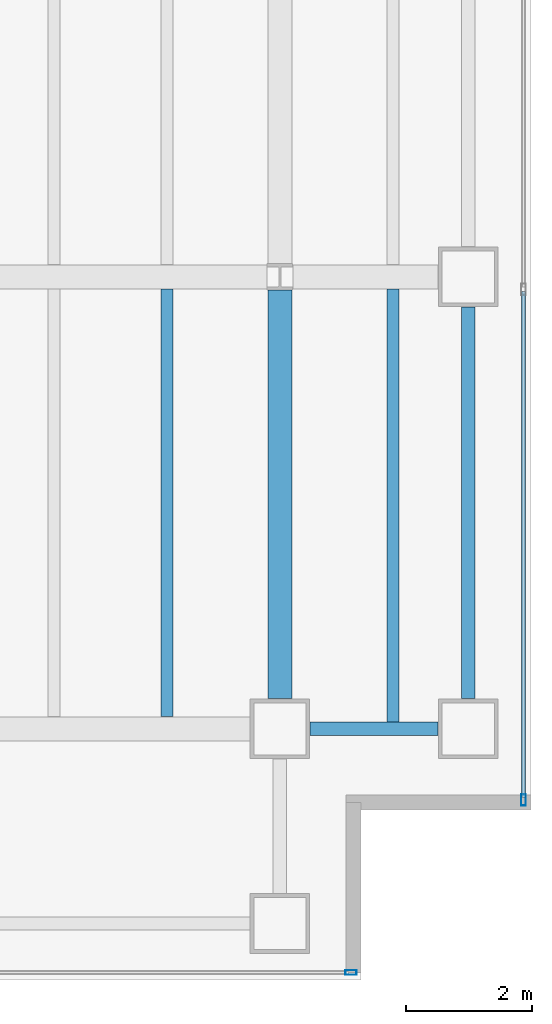
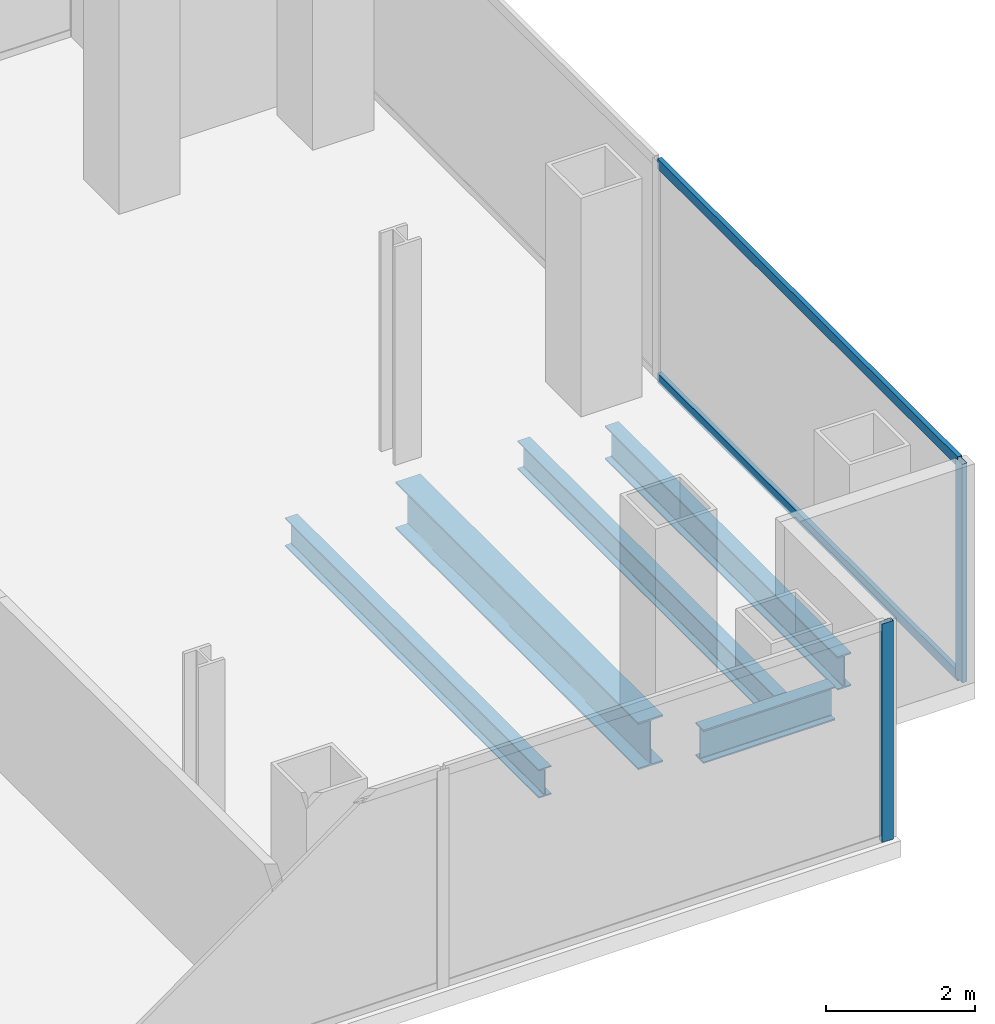
# One storey, part 11 of 23: 5 beams, 4 members, 2 elements without a shape of their own.
"""IFC4 building model written with IfcOpenShell, lengths in metres."""

from ifc_helpers import new_model, si_unit, direction, frame, origin, origin_2d, place, context, subcontext, project, spatial, hollow_rectangle, i_section, extrude, material, material_profile, profile_set, type_object, element, aggregate, save


model = new_model("IFC4")

# Units and contexts
model_context = context("Model", 3, precision=1e-05, world=origin(), true_north=direction((0.0, 1.0)))
body_context = subcontext(model_context, "Body", "Model", "MODEL_VIEW")
ifc_project = project(units=[si_unit("LENGTHUNIT", "METRE"), si_unit("AREAUNIT", "SQUARE_METRE"), si_unit("VOLUMEUNIT", "CUBIC_METRE"), si_unit("PLANEANGLEUNIT", "RADIAN"), si_unit("MASSUNIT", "GRAM", prefix="KILO")], contexts=[model_context])

# Site, building, storey
site_placement = place(None, origin())
site = spatial("IfcSite", under=ifc_project, at=site_placement, CompositionType="ELEMENT")
building_placement = place(site_placement, origin())
building = spatial("IfcBuilding", under=site, at=building_placement, Name="Cobrela Telecom Tower", CompositionType="ELEMENT")
storey_placement = place(building_placement, frame((0.0, 0.0, 109.89990234375)))
storey = spatial("IfcBuildingStorey", under=building, at=storey_placement, Name="L27", CompositionType="ELEMENT", Elevation=109.89990234375)

# Beams
ifc_material_1 = material(Name="Steel ASTM A992 Grade 50", Category="steel")
ifc_material_profile_1 = material_profile(ifc_material_1, i_section(OverallWidth=0.381103515625, OverallDepth=0.77197265625, WebThickness=0.0166015625, FlangeThickness=0.027099609375, FilletRadius=0.01904296875, at=origin_2d()), Name="W30X173")
ifc_profile_set_1 = profile_set([ifc_material_profile_1], Name="Steel ASTM A992 Grade 50")
beam_type_1 = type_object("IfcBeamType", Name="BM-GIRD-04", PredefinedType="USERDEFINED", material=ifc_profile_set_1)
beam_1_placement = place(storey_placement, frame((43.199951171875, 7.679931640625, -0.656005859375), z_axis=(0.0, 1.0, 0.0), x_axis=(-1.0, 0.0, 0.0)))
element("IfcBeam", 1, at=beam_1_placement, inside=storey, type_object=beam_type_1, Name="L27 Primary Girder Y53", ObjectType="GIRDER", PredefinedType="USERDEFINED", context=body_context, shape_type="SweptSolid", body=[
    extrude(i_section(OverallWidth=0.381103515625, OverallDepth=0.77197265625, WebThickness=0.0166015625, FlangeThickness=0.027099609375, FilletRadius=0.01904296875, at=origin_2d()), origin(), (0.0, 0.0, 1.0), 6.510498046875),
])
ifc_material_profile_2 = material_profile(ifc_material_1, i_section(OverallWidth=0.193115234375, OverallDepth=0.467041015625, WebThickness=0.011474609375, FlangeThickness=0.01904296875, FilletRadius=0.012939453125, at=origin_2d()), Name="W18X65")
ifc_profile_set_2 = profile_set([ifc_material_profile_2], Name="Steel ASTM A992 Grade 50")
beam_type_2 = type_object("IfcBeamType", Name="BM-JOIST-03", PredefinedType="JOIST", material=ifc_profile_set_2)
beam_2_placement = place(storey_placement, frame((41.39990234375, 7.3955078125, -0.50341796875), z_axis=(0.0, 1.0, 0.0), x_axis=(-1.0, 0.0, 0.0)))
element("IfcBeam", 2, at=beam_2_placement, inside=storey, type_object=beam_type_2, Name="L27 Secondary Composite Floor Beam J37", PredefinedType="JOIST", context=body_context, shape_type="SweptSolid", body=[
    extrude(i_section(OverallWidth=0.193115234375, OverallDepth=0.467041015625, WebThickness=0.011474609375, FlangeThickness=0.01904296875, FilletRadius=0.012939453125, at=origin_2d()), origin(), (0.0, 0.0, 1.0), 6.80908203125),
])
beam_3_placement = place(storey_placement, frame((45.0, 7.3115234375, -0.50341796875), z_axis=(0.0, 1.0, 0.0), x_axis=(-1.0, 0.0, 0.0)))
element("IfcBeam", 3, at=beam_3_placement, inside=storey, type_object=beam_type_2, Name="L27 Secondary Composite Floor Beam J39", PredefinedType="JOIST", context=body_context, shape_type="SweptSolid", body=[
    extrude(i_section(OverallWidth=0.193115234375, OverallDepth=0.467041015625, WebThickness=0.011474609375, FlangeThickness=0.01904296875, FilletRadius=0.012939453125, at=origin_2d()), origin(), (0.0, 0.0, 1.0), 6.89306640625),
])
ifc_material_profile_3 = material_profile(ifc_material_1, i_section(OverallWidth=0.212890625, OverallDepth=0.549072265625, WebThickness=0.0146484375, FlangeThickness=0.023681640625, FilletRadius=0.013916015625, at=origin_2d()), Name="W21X93")
ifc_profile_set_3 = profile_set([ifc_material_profile_3], Name="Steel ASTM A992 Grade 50")
beam_type_3 = type_object("IfcBeamType", Name="BM-SPAND-03", PredefinedType="SPANDREL", material=ifc_profile_set_3)
beam_4_placement = place(storey_placement, frame((43.679931640625, 7.199951171875, -0.54443359375), z_axis=(1.0, 0.0, 0.0), x_axis=(0.0, 1.0, 0.0)))
element("IfcBeam", 4, at=beam_4_placement, inside=storey, type_object=beam_type_3, Name="L27 Perimeter Spandrel X12", PredefinedType="SPANDREL", context=body_context, shape_type="SweptSolid", body=[
    extrude(i_section(OverallWidth=0.212890625, OverallDepth=0.549072265625, WebThickness=0.0146484375, FlangeThickness=0.023681640625, FilletRadius=0.013916015625, at=origin_2d()), origin(), (0.0, 0.0, 1.0), 2.0400390625),
])
beam_5_placement = place(storey_placement, frame((46.199951171875, 7.679931640625, -0.54443359375), z_axis=(0.0, 1.0, 0.0), x_axis=(-1.0, 0.0, 0.0)))
element("IfcBeam", 5, at=beam_5_placement, inside=storey, type_object=beam_type_3, Name="L27 Perimeter Spandrel Y55", PredefinedType="SPANDREL", context=body_context, shape_type="SweptSolid", body=[
    extrude(i_section(OverallWidth=0.212890625, OverallDepth=0.549072265625, WebThickness=0.0146484375, FlangeThickness=0.023681640625, FilletRadius=0.013916015625, at=origin_2d()), origin(), (0.0, 0.0, 1.0), 6.239990234375),
])

# Curtain wall, member
ifc_material_2 = material(Name="Anodized Bronze Aluminium 6063-T6", Category="aluminium")
curtain_wall_type = type_object("IfcCurtainWallType", Name="CW-SYS-TEL", PredefinedType="USERDEFINED", material=ifc_material_2)
curtain_wall_1_placement = place(storey_placement, origin())
curtain_wall_1 = element("IfcCurtainWall", 6, at=curtain_wall_1_placement, inside=storey, type_object=curtain_wall_type, Name="L27 Unitised Bronze Curtain Wall 14", ObjectType="UNITISED CURTAIN WALL", PredefinedType="USERDEFINED")
ifc_material_profile_4 = material_profile(ifc_material_2, hollow_rectangle(XDim=0.074951171875, YDim=0.179931640625, WallThickness=0.00390625, at=origin_2d()), Name="ALU 75x180x4")
ifc_profile_set_4 = profile_set([ifc_material_profile_4], Name="Anodized Bronze Aluminium 6063-T6")
member_type_1 = type_object("IfcMemberType", Name="CW-SYS-TEL-MUL", PredefinedType="MULLION", material=ifc_profile_set_4)
member_1_placement = place(storey_placement, frame((47.080078125, 6.0673828125, 0.0), z_axis=(0.0, 0.0, 1.0), x_axis=(1.0, 0.0, 0.0)))
member_1 = element("IfcMember", 7, at=member_1_placement, type_object=member_type_1, Name="CW-TEL mullion 3", PredefinedType="MULLION", context=body_context, shape_type="SweptSolid", body=[
    extrude(hollow_rectangle(XDim=0.074951171875, YDim=0.179931640625, WallThickness=0.00390625, at=origin_2d()), origin(), (0.0, 0.0, 1.0), 3.580078125),
])

curtain_wall_2_placement = place(storey_placement, origin())
curtain_wall_2 = element("IfcCurtainWall", 8, at=curtain_wall_2_placement, inside=storey, type_object=curtain_wall_type, Name="L27 Unitised Bronze Curtain Wall 17", ObjectType="UNITISED CURTAIN WALL", PredefinedType="USERDEFINED")
member_2_placement = place(storey_placement, frame((44.33251953125, 3.320068359375, 0.0), z_axis=(0.0, 0.0, 1.0), x_axis=(0.0, -1.0, 0.0)))
member_2 = element("IfcMember", 9, at=member_2_placement, type_object=member_type_1, Name="CW-TEL mullion 1", PredefinedType="MULLION", context=body_context, shape_type="SweptSolid", body=[
    extrude(hollow_rectangle(XDim=0.074951171875, YDim=0.179931640625, WallThickness=0.00390625, at=origin_2d()), origin(), (0.0, 0.0, 1.0), 3.580078125),
])
aggregate(curtain_wall_2, [member_2])

# Member
ifc_material_profile_5 = material_profile(ifc_material_2, hollow_rectangle(XDim=0.070068359375, YDim=0.159912109375, WallThickness=0.00390625, at=origin_2d()), Name="ALU 70x160x4")
ifc_profile_set_5 = profile_set([ifc_material_profile_5], Name="Anodized Bronze Aluminium 6063-T6")
member_type_2 = type_object("IfcMemberType", Name="CW-SYS-TEL-TRN", PredefinedType="USERDEFINED", material=ifc_profile_set_5)
member_3_placement = place(storey_placement, frame((47.080078125, 14.16259765625, 0.03515625), z_axis=(0.0, -1.0, 0.0), x_axis=(1.0, 0.0, 0.0)))
member_3 = element("IfcMember", 10, at=member_3_placement, type_object=member_type_2, Name="CW-TEL transom 2.1", ObjectType="TRANSOM", PredefinedType="USERDEFINED", context=body_context, shape_type="SweptSolid", body=[
    extrude(hollow_rectangle(XDim=0.070068359375, YDim=0.159912109375, WallThickness=0.00390625, at=origin_2d()), origin(), (0.0, 0.0, 1.0), 8.0576171875),
])

member_4_placement = place(storey_placement, frame((47.080078125, 14.16259765625, 3.545166015625), z_axis=(0.0, -1.0, 0.0), x_axis=(1.0, 0.0, 0.0)))
member_4 = element("IfcMember", 11, at=member_4_placement, type_object=member_type_2, Name="CW-TEL transom 2.2", ObjectType="TRANSOM", PredefinedType="USERDEFINED", context=body_context, shape_type="SweptSolid", body=[
    extrude(hollow_rectangle(XDim=0.070068359375, YDim=0.159912109375, WallThickness=0.00390625, at=origin_2d()), origin(), (0.0, 0.0, 1.0), 8.0576171875),
])

aggregate(curtain_wall_1, [member_1, member_3, member_4])

save(model, "model.ifc")
